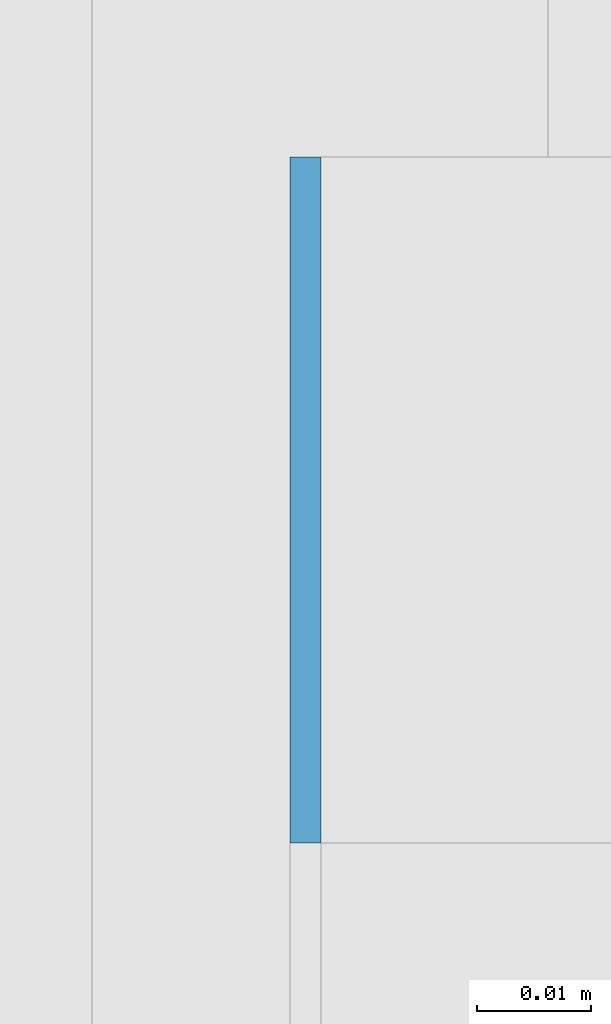
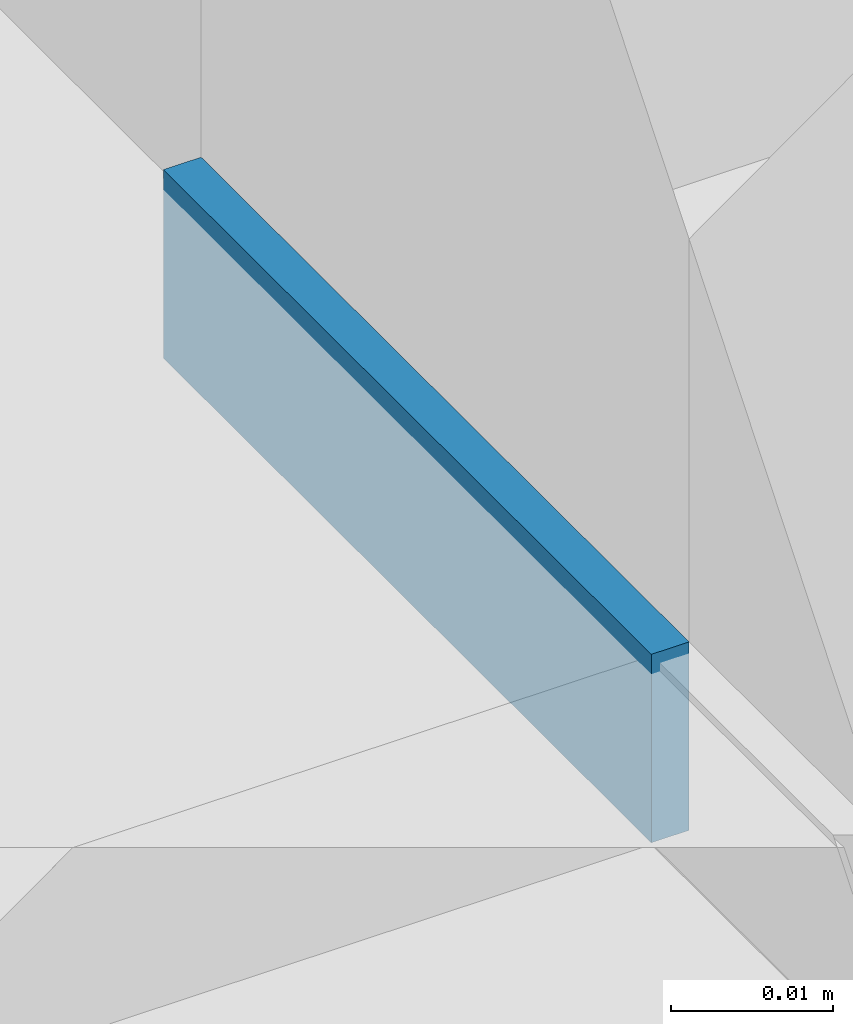
# One storey, part 494 of 646: 1 discrete accessory.
"""IFC4 building model written with IfcOpenShell, lengths in metres."""

from ifc_helpers import new_model, si_unit, direction, frame, origin, origin_2d, place, context, subcontext, project, spatial, rectangle, extrude, material, type_object, element, save


model = new_model("IFC4")

# Units and contexts
model_context = context("Model", 3, precision=1e-05, world=origin(), true_north=direction((0.0, 1.0)))
body_context = subcontext(model_context, "Body", "Model", "MODEL_VIEW")
ifc_project = project(units=[si_unit("LENGTHUNIT", "METRE"), si_unit("AREAUNIT", "SQUARE_METRE"), si_unit("VOLUMEUNIT", "CUBIC_METRE"), si_unit("PLANEANGLEUNIT", "RADIAN"), si_unit("MASSUNIT", "GRAM", prefix="KILO")], contexts=[model_context])

# Site, building, storey
site_placement = place(None, origin())
site = spatial("IfcSite", under=ifc_project, at=site_placement, CompositionType="ELEMENT")
building_placement = place(site_placement, origin())
building = spatial("IfcBuilding", under=site, at=building_placement, Name="Silverbay Arena", CompositionType="ELEMENT")
storey_placement = place(building_placement, frame((0.0, 0.0, 33.5)))
storey = spatial("IfcBuildingStorey", under=building, at=storey_placement, Name="L05", CompositionType="ELEMENT", Elevation=33.5)

# Discrete accessory
ifc_material = material(Name="Steel S355", Category="steel")
discrete_accessory_type = type_object("IfcDiscreteAccessoryType", Name="Steel bracket plate", PredefinedType="BRACKET", material=ifc_material)
discrete_accessory_placement = place(storey_placement, frame((207.128662109375, 63.030029296875, 4.0), z_axis=(0.0, 0.0, 1.0), x_axis=(1.0, 0.0, 0.0)))
element("IfcDiscreteAccessory", 1, at=discrete_accessory_placement, inside=storey, type_object=discrete_accessory_type, Name="Curtain wall packing plate", PredefinedType="BRACKET", context=body_context, shape_type="SweptSolid", body=[
    extrude(rectangle(XDim=0.002685546875, YDim=0.06005859375, at=origin_2d()), origin(), (0.0, 0.0, 1.0), 0.01416015625),
])

save(model, "model.ifc")
